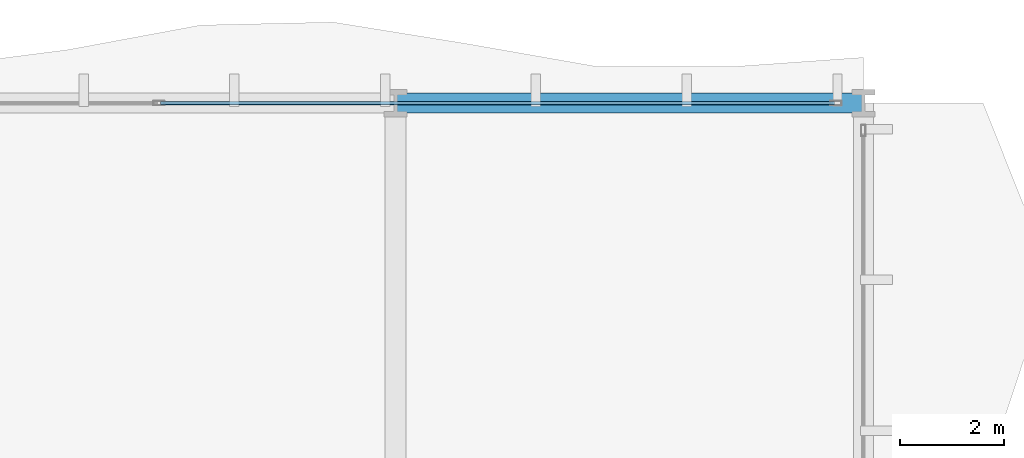
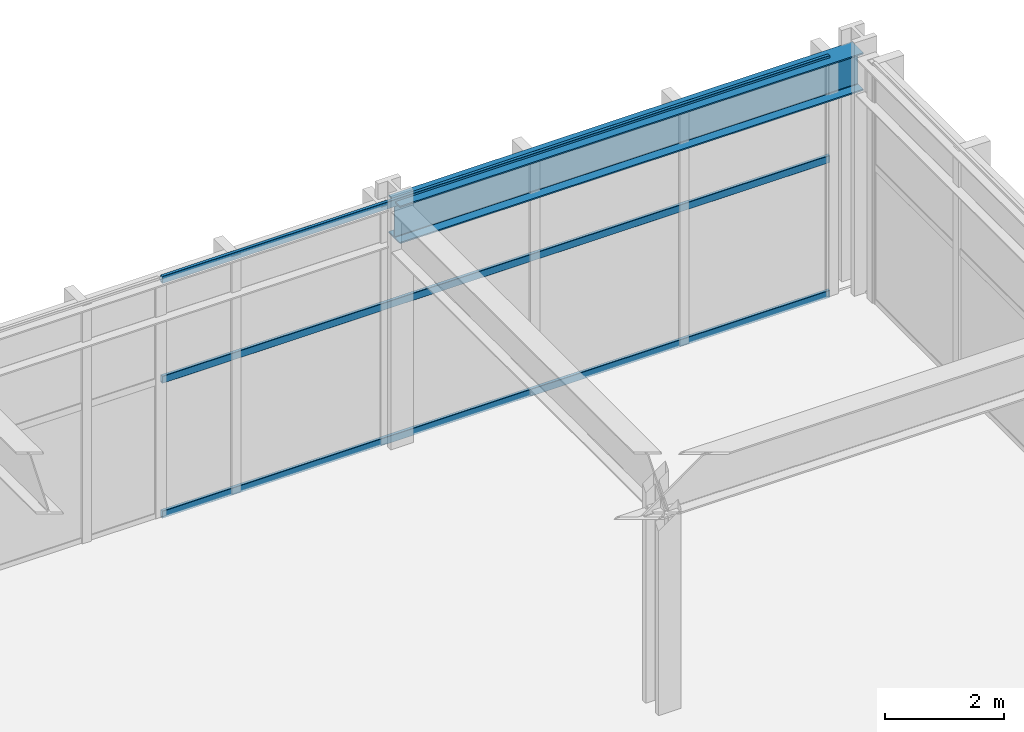
# One storey, part 16 of 33: 3 members, 1 beam, 1 element without a shape of its own.
"""IFC4 building model written with IfcOpenShell, lengths in metres."""

import ifcopenshell
import ifcopenshell.guid

model = None  # the IFC model being written
_history = None  # IfcOwnerHistory: only IFC2X3 demands one
_inside = {}  # id of a spatial element -> (the spatial element, [elements in it])
_under = {}  # id of a project, library or spatial element -> (it, [spatial elements below it])
_declared = {}  # id of a project -> (the project, [libraries it declares])
_typed = {}  # id of a type object -> (the type object, [elements of that type])
_made_of = {}  # id of a material, layer set ... -> (it, [elements and type objects made of it])


def new_model(schema):
    """Start an empty IFC model of exactly this schema.

    Asked for "IFC4X3", IfcOpenShell would pick the latest addendum, in which some entities
    have other attributes; the version numbers below select the first issue.
    IFC2X3 requires an IfcOwnerHistory on every rooted entity: one is made here for all.
    """
    global model, _history
    if schema == "IFC4X3":
        model = ifcopenshell.file(schema_version=(4, 3, 0, 0))
    else:
        model = ifcopenshell.file(schema=schema)
    _inside.clear()
    _under.clear()
    _declared.clear()
    _typed.clear()
    _made_of.clear()
    _history = None
    if model.schema == "IFC2X3":
        org = make("IfcOrganization", Name="unknown")
        user = make(
            "IfcPersonAndOrganization",
            ThePerson=make("IfcPerson", FamilyName="unknown"),
            TheOrganization=org,
        )
        app = make(
            "IfcApplication",
            ApplicationDeveloper=org,
            Version="unknown",
            ApplicationFullName="unknown",
            ApplicationIdentifier="unknown",
        )
        _history = make(
            "IfcOwnerHistory",
            OwningUser=user,
            OwningApplication=app,
            ChangeAction="ADDED",
            CreationDate=0,
        )
    return model


def make(cls, **values):
    """One entity of the class cls with the attributes given. An attribute that is None is left unset."""
    return model.create_entity(
        cls, **{name: value for name, value in values.items() if value is not None}
    )


def rooted(cls, **values):
    """An entity with a GlobalId (a new one), such as an element, a storey or a relation."""
    return make(cls, GlobalId=ifcopenshell.guid.new(), OwnerHistory=_history, **values)


def si_unit(unit_type, name, prefix=None):
    """IfcSIUnit, for example si_unit("LENGTHUNIT", "METRE", prefix="MILLI")."""
    return make("IfcSIUnit", UnitType=unit_type, Prefix=prefix, Name=name)


def assignment(units):
    """IfcUnitAssignment: the units of a project."""
    return None if units is None else make("IfcUnitAssignment", Units=units)


def point(xyz):
    """IfcCartesianPoint."""
    return None if xyz is None else make("IfcCartesianPoint", Coordinates=xyz)


def direction(xyz):
    """IfcDirection."""
    return None if xyz is None else make("IfcDirection", DirectionRatios=xyz)


def frame(location, z_axis=None, x_axis=None):
    """IfcAxis2Placement3D, a coordinate frame: its origin and axes. An axis left out is left unset."""
    return make(
        "IfcAxis2Placement3D",
        Location=point(location),
        Axis=direction(z_axis),
        RefDirection=direction(x_axis),
    )


def frame_2d(location, x_axis=None):
    """IfcAxis2Placement2D, a coordinate frame in the plane: its origin and x axis."""
    return make(
        "IfcAxis2Placement2D", Location=point(location), RefDirection=direction(x_axis)
    )


def origin():
    """The frame at (0, 0, 0) with its axes left unset."""
    return frame((0.0, 0.0, 0.0))


def origin_2d():
    """The frame at (0, 0) in the plane with its x axis left unset."""
    return frame_2d((0.0, 0.0))


def place(relative_to, where):
    """IfcLocalPlacement: puts the frame where relative to a parent placement (None: the world)."""
    return make(
        "IfcLocalPlacement", PlacementRelTo=relative_to, RelativePlacement=where
    )


def context(
    kind, dimensions, precision=None, world=None, true_north=None, identifier=None
):
    """IfcGeometricRepresentationContext, for example the 3D "Model" context."""
    return make(
        "IfcGeometricRepresentationContext",
        ContextIdentifier=identifier,
        ContextType=kind,
        CoordinateSpaceDimension=dimensions,
        Precision=precision,
        WorldCoordinateSystem=world,
        TrueNorth=true_north,
    )


def subcontext(parent, identifier, kind, view, scale=None):
    """IfcGeometricRepresentationSubContext, for example "Body" below "Model"."""
    return make(
        "IfcGeometricRepresentationSubContext",
        ContextIdentifier=identifier,
        ContextType=kind,
        ParentContext=parent,
        TargetScale=scale,
        TargetView=view,
    )


def project(units=None, contexts=None):
    """IfcProject with its units and contexts."""
    return rooted(
        "IfcProject",
        Name="project",
        RepresentationContexts=contexts,
        UnitsInContext=assignment(units),
    )


def spatial(cls, under=None, at=None, **own):
    """A site, building, storey or space (cls), placed at a placement, below another one or the project."""
    s = rooted(cls, ObjectPlacement=at, **own)
    if under is not None:
        _under.setdefault(under.id(), (under, []))[1].append(s)
    return s


def profile(cls, at=None, kind="AREA", **sizes):
    """A parametric profile (cls). Its sizes go by their IFC names, for example OverallWidth=200.0."""
    return make(cls, ProfileType=kind, Position=at, **sizes)


def hollow_rectangle(**sizes):
    """IfcRectangleHollowProfileDef."""
    return profile("IfcRectangleHollowProfileDef", **sizes)


def i_section(**sizes):
    """IfcIShapeProfileDef."""
    return profile("IfcIShapeProfileDef", **sizes)


def extrude(swept, where, along, depth):
    """IfcExtrudedAreaSolid: the profile swept, set in the frame where, extruded along a direction by depth."""
    return make(
        "IfcExtrudedAreaSolid",
        SweptArea=swept,
        Position=where,
        ExtrudedDirection=direction(along),
        Depth=depth,
    )


def shape(context_of_items, identifier, shape_type, items):
    """IfcShapeRepresentation: the items that make up one representation, for example the "Body"."""
    return make(
        "IfcShapeRepresentation",
        ContextOfItems=context_of_items,
        RepresentationIdentifier=identifier,
        RepresentationType=shape_type,
        Items=items,
    )


def material(Name=None, Category=None):
    """IfcMaterial."""
    return make("IfcMaterial", Name=Name, Category=Category)


def layer(
    of_material, thickness, ventilated=None, Name=None, Category=None, Priority=None
):
    """IfcMaterialLayer: one layer of a wall or slab, of a material (None: an air gap)."""
    return make(
        "IfcMaterialLayer",
        Material=of_material,
        LayerThickness=thickness,
        IsVentilated=ventilated,
        Name=Name,
        Category=Category,
        Priority=Priority,
    )


def layer_set(layers, Name=None):
    """IfcMaterialLayerSet."""
    return make("IfcMaterialLayerSet", MaterialLayers=layers, LayerSetName=Name)


def material_profile(
    of_material, cross_section, Name=None, Category=None, Priority=None
):
    """IfcMaterialProfile: a cross section and its material."""
    return make(
        "IfcMaterialProfile",
        Name=Name,
        Material=of_material,
        Profile=cross_section,
        Priority=Priority,
        Category=Category,
    )


def profile_set(profiles, Name=None, composite=None):
    """IfcMaterialProfileSet."""
    return make(
        "IfcMaterialProfileSet",
        Name=Name,
        MaterialProfiles=profiles,
        CompositeProfile=composite,
    )


def made_of(thing, what):
    """Note that an element or type object is made of a material, layer set ...; save() writes the relation."""
    if what is not None:
        _made_of.setdefault(what.id(), (what, []))[1].append(thing)
    return thing


def type_object(cls, material=None, **own):
    """A type object (cls), such as IfcWallType, which elements share."""
    return made_of(rooted(cls, **own), material)


def element(
    cls,
    number,
    at=None,
    inside=None,
    cuts=None,
    type_object=None,
    material=None,
    context=None,
    identifier="Body",
    shape_type=None,
    held_by="IfcProductDefinitionShape",
    body=None,
    shapes=None,
    **own,
):
    """One element of the class cls, such as IfcWall. Its Tag is "e" and its number.

    at: its placement. inside: the storey or other place that contains it. cuts: it is an
    opening in that element (IfcRelVoidsElement). A single representation is given by context,
    identifier, shape_type and body (its items); several are given by shapes. held_by: the class
    of the entity that holds the representations. save() writes the other relations.
    """
    e = rooted(cls, Tag="e%d" % number, ObjectPlacement=at, **own)
    if body is not None:
        shapes = [shape(context, identifier, shape_type, body)]
    if shapes is not None:
        e.Representation = make(held_by, Representations=shapes)
    if inside is not None:
        _inside.setdefault(inside.id(), (inside, []))[1].append(e)
    if cuts is not None:
        rooted(
            "IfcRelVoidsElement", RelatingBuildingElement=cuts, RelatedOpeningElement=e
        )
    if type_object is not None:
        _typed.setdefault(type_object.id(), (type_object, []))[1].append(e)
    return made_of(e, material)


def aggregate(whole, parts):
    """IfcRelAggregates: a whole, such as a stair, and the parts it consists of."""
    return rooted("IfcRelAggregates", RelatingObject=whole, RelatedObjects=parts)


def save(model, path):
    """Write the relations noted so far, then the file.

    IfcRelAggregates (storeys below a building ...), IfcRelContainedInSpatialStructure (elements
    in a storey), IfcRelDefinesByType, IfcRelAssociatesMaterial and IfcRelDeclares: one each for
    every whole, place, type object, material and project.
    """
    for whole, parts in _under.values():
        aggregate(whole, parts)
    for where, things in _inside.values():
        rooted(
            "IfcRelContainedInSpatialStructure",
            RelatedElements=things,
            RelatingStructure=where,
        )
    for kind, things in _typed.values():
        rooted("IfcRelDefinesByType", RelatedObjects=things, RelatingType=kind)
    for what, things in _made_of.values():
        rooted("IfcRelAssociatesMaterial", RelatedObjects=things, RelatingMaterial=what)
    for by, libraries in _declared.values():
        rooted("IfcRelDeclares", RelatingContext=by, RelatedDefinitions=libraries)
    model.write(path)


model = new_model("IFC4")

# Units and contexts
model_context = context("Model", 3, precision=1e-05, world=origin(), true_north=direction((0.0, 1.0)))
body_context = subcontext(model_context, "Body", "Model", "MODEL_VIEW")
ifc_project = project(units=[si_unit("LENGTHUNIT", "METRE"), si_unit("AREAUNIT", "SQUARE_METRE"), si_unit("VOLUMEUNIT", "CUBIC_METRE"), si_unit("PLANEANGLEUNIT", "RADIAN"), si_unit("MASSUNIT", "GRAM", prefix="KILO")], contexts=[model_context])

# Site, building, storey
site_placement = place(None, origin())
site = spatial("IfcSite", under=ifc_project, at=site_placement, CompositionType="ELEMENT")
building_placement = place(site_placement, origin())
building = spatial("IfcBuilding", under=site, at=building_placement, Name="Solvaryn Broadcast Tower", CompositionType="ELEMENT")
storey_placement = place(building_placement, frame((0.0, 0.0, 5.800048828125)))
storey = spatial("IfcBuildingStorey", under=building, at=storey_placement, Name="L01", CompositionType="ELEMENT", Elevation=5.800048828125)

# Beam
ifc_material_1 = material(Name="Steel ASTM A992 Grade 50", Category="steel")
ifc_material_profile_1 = material_profile(ifc_material_1, i_section(OverallWidth=0.381103515625, OverallDepth=0.77294921875, WebThickness=0.0166015625, FlangeThickness=0.027099609375, FilletRadius=0.01806640625, at=origin_2d()))
ifc_profile_set_1 = profile_set([ifc_material_profile_1], Name="Steel ASTM A992 Grade 50")
beam_type = type_object("IfcBeamType", Name="BM-SP1-W30X173", PredefinedType="USERDEFINED", material=ifc_profile_set_1)
beam_placement = place(storey_placement, frame((54.0, 54.0, 4.493408203125), z_axis=(1.0, 0.0, 0.0), x_axis=(0.0, 1.0, 0.0)))
element("IfcBeam", 1, at=beam_placement, inside=storey, type_object=beam_type, Name="L01 Spandrel Beam X (54-63 @ Y=54)", ObjectType="SPANDREL", PredefinedType="USERDEFINED", context=body_context, shape_type="SweptSolid", body=[
    extrude(i_section(OverallWidth=0.381103515625, OverallDepth=0.77294921875, WebThickness=0.0166015625, FlangeThickness=0.027099609375, FilletRadius=0.01806640625, at=origin_2d()), origin(), (0.0, 0.0, 1.0), 9.0),
])

# Curtain wall, members
ifc_material_2 = material(Name="Aluminium and Terracotta Unitised Curtain Wall", Category="masonry")
ifc_layer = layer(ifc_material_2, 0.219970703125)
ifc_layer_set = layer_set([ifc_layer], Name="CW-SYS1-PODIUM")
curtain_wall_type = type_object("IfcCurtainWallType", Name="CW-SYS1-PODIUM", PredefinedType="NOTDEFINED", material=ifc_layer_set)
curtain_wall_placement = place(storey_placement, origin())
curtain_wall = element("IfcCurtainWall", 2, at=curtain_wall_placement, inside=storey, type_object=curtain_wall_type, Name="L01 Podium Curtain Wall N2", PredefinedType="NOTDEFINED")
ifc_material_3 = material(Name="Anodised Aluminium 6063-T6", Category="aluminium")
ifc_material_profile_2 = material_profile(ifc_material_3, hollow_rectangle(XDim=0.06494140625, YDim=0.14990234375, WallThickness=0.00390625, InnerFilletRadius=0.00390625, OuterFilletRadius=0.008056640625, at=origin_2d()))
ifc_profile_set_2 = profile_set([ifc_material_profile_2], Name="Anodised Aluminium 6063-T6")
member_type = type_object("IfcMemberType", Name="CW-TRN-150", PredefinedType="USERDEFINED", material=ifc_profile_set_2)
member_1_placement = place(storey_placement, frame((49.47998046875, 54.0, 0.030029296875), z_axis=(1.0, 0.0, 0.0), x_axis=(0.0, 1.0, 0.0)))
member_1 = element("IfcMember", 3, at=member_1_placement, type_object=member_type, Name="CWS1 transom 2.1", ObjectType="TRANSOM", PredefinedType="USERDEFINED", context=body_context, shape_type="SweptSolid", body=[
    extrude(hollow_rectangle(XDim=0.06494140625, YDim=0.14990234375, WallThickness=0.00390625, InnerFilletRadius=0.00390625, OuterFilletRadius=0.008056640625, at=origin_2d()), origin(), (0.0, 0.0, 1.0), 12.9599609375),
])
member_2_placement = place(storey_placement, frame((49.47998046875, 54.0, 2.800048828125), z_axis=(1.0, 0.0, 0.0), x_axis=(0.0, 1.0, 0.0)))
member_2 = element("IfcMember", 4, at=member_2_placement, type_object=member_type, Name="CWS1 transom 2.2", ObjectType="TRANSOM", PredefinedType="USERDEFINED", context=body_context, shape_type="SweptSolid", body=[
    extrude(hollow_rectangle(XDim=0.06494140625, YDim=0.14990234375, WallThickness=0.00390625, InnerFilletRadius=0.00390625, OuterFilletRadius=0.008056640625, at=origin_2d()), origin(), (0.0, 0.0, 1.0), 12.9599609375),
])
member_3_placement = place(storey_placement, frame((49.47998046875, 54.0, 4.849853515625), z_axis=(1.0, 0.0, 0.0), x_axis=(0.0, 1.0, 0.0)))
member_3 = element("IfcMember", 5, at=member_3_placement, type_object=member_type, Name="CWS1 transom 2.3", ObjectType="TRANSOM", PredefinedType="USERDEFINED", context=body_context, shape_type="SweptSolid", body=[
    extrude(hollow_rectangle(XDim=0.06494140625, YDim=0.14990234375, WallThickness=0.00390625, InnerFilletRadius=0.00390625, OuterFilletRadius=0.008056640625, at=origin_2d()), origin(), (0.0, 0.0, 1.0), 12.9599609375),
])
aggregate(curtain_wall, [member_1, member_2, member_3])

save(model, "model.ifc")
